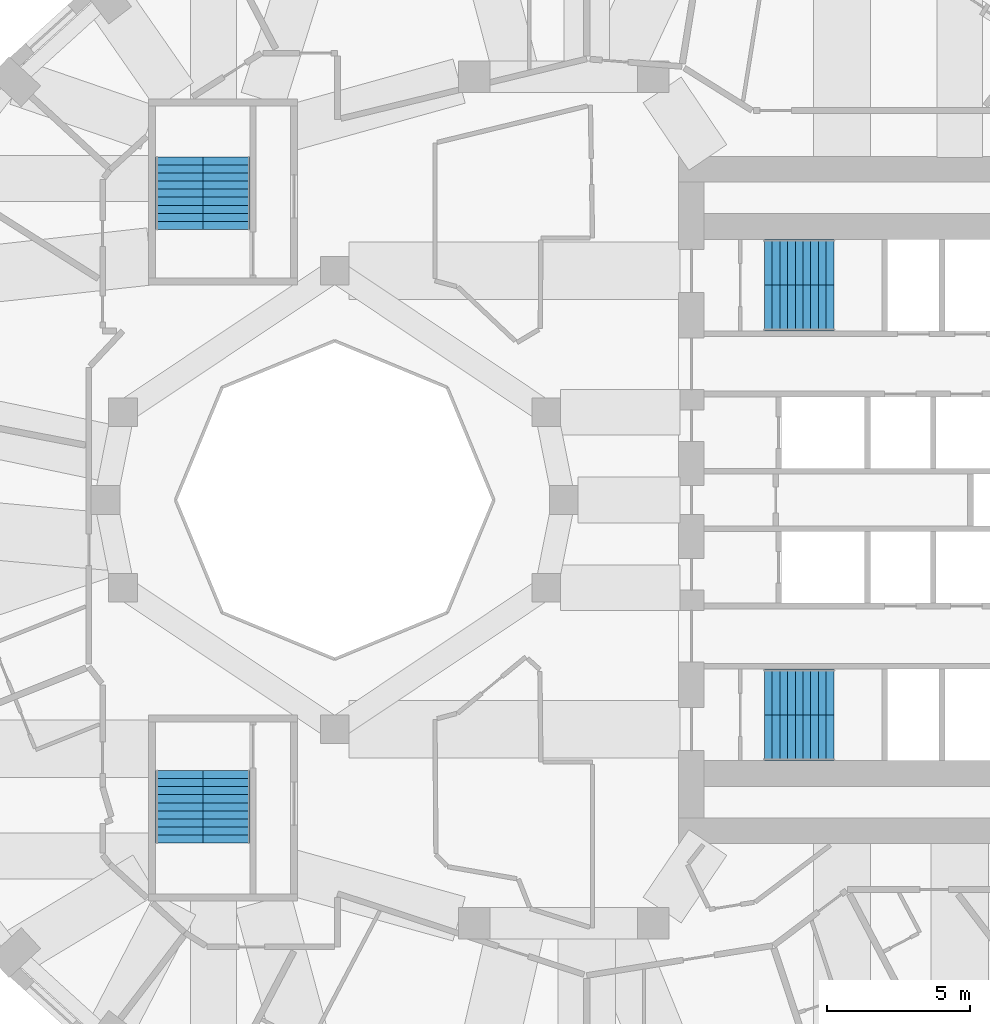
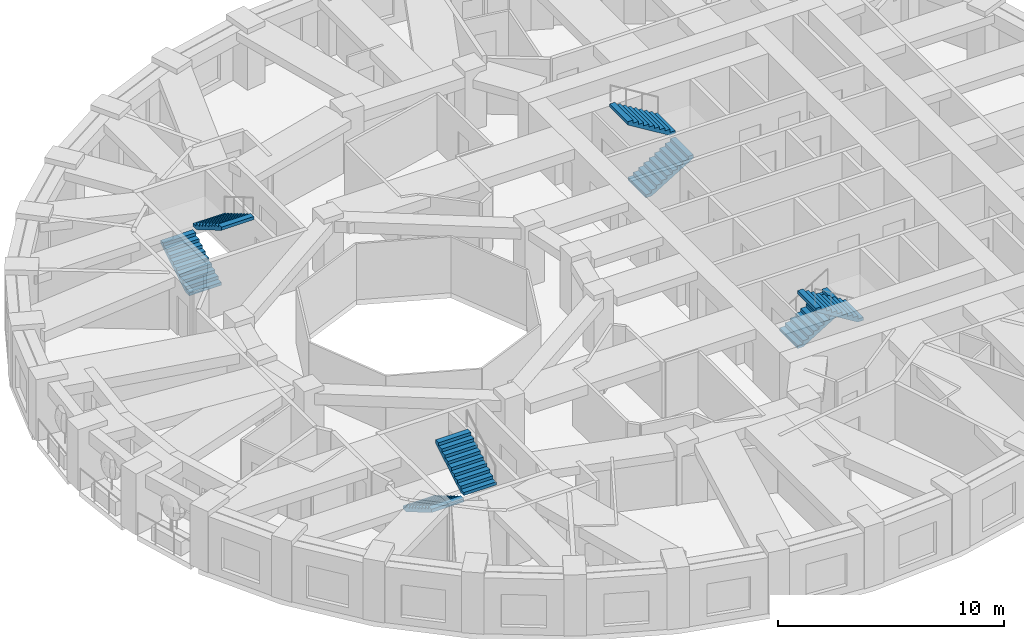
# One storey, part 9 of 12: 8 stair flights, 4 elements without a shape of their own.
"""IFC4 building model written with IfcOpenShell, lengths in metres."""

from ifc_helpers import new_model, si_unit, direction, frame, origin, place, context, subcontext, project, spatial, polyline, outline, extrude, material, type_object, element, aggregate, save


model = new_model("IFC4")

# Units and contexts
model_context = context("Model", 3, precision=1e-05, world=origin(), true_north=direction((0.0, 1.0)))
body_context = subcontext(model_context, "Body", "Model", "MODEL_VIEW")
ifc_project = project(units=[si_unit("LENGTHUNIT", "METRE"), si_unit("AREAUNIT", "SQUARE_METRE"), si_unit("VOLUMEUNIT", "CUBIC_METRE"), si_unit("PLANEANGLEUNIT", "RADIAN"), si_unit("MASSUNIT", "GRAM", prefix="KILO")], contexts=[model_context])

# Site, building, storey
site_placement = place(None, origin())
site = spatial("IfcSite", under=ifc_project, at=site_placement, CompositionType="ELEMENT")
building_placement = place(site_placement, origin())
building = spatial("IfcBuilding", under=site, at=building_placement, Name="Taillehof Tower", CompositionType="ELEMENT")
storey_placement = place(building_placement, frame((0.0, 0.0, 102.10009765625)))
storey = spatial("IfcBuildingStorey", under=building, at=storey_placement, Name="L28", CompositionType="ELEMENT", Elevation=102.10009765625)

# Stair, stair flights
ifc_material_1 = material(Name="Concrete C40/50", Category="concrete")
stair_type = type_object("IfcStairType", Name="Exit stair half-turn", PredefinedType="HALF_TURN_STAIR", material=ifc_material_1)
stair_1_placement = place(storey_placement, origin())
stair_1 = element("IfcStair", 1, at=stair_1_placement, inside=storey, type_object=stair_type, Name="Exit stair S1", PredefinedType="HALF_TURN_STAIR")
ifc_material_2 = material(Name="Concrete C40/50", Category="concrete")
stair_flight_type_1 = type_object("IfcStairFlightType", Name="Stair flight 1600 riser 165.0 going 270", PredefinedType="STRAIGHT", material=ifc_material_2)
stair_flight_1_placement = place(storey_placement, frame((7.0, 6.699951171875, 0.0), z_axis=(0.0, 0.0, 1.0), x_axis=(1.0, 0.0, 0.0)))
stair_flight_1 = element("IfcStairFlight", 2, at=stair_flight_1_placement, type_object=stair_flight_type_1, Name="S1 flight 1", NumberOfRisers=10, NumberOfTreads=9, PredefinedType="STRAIGHT", RiserHeight=0.165, TreadLength=0.27, context=body_context, shape_type="SweptSolid", body=[
    extrude(outline(polyline([(0.0, 0.0), (0.0, 0.00537109375), (0.0, 0.0107421875), (0.0, 0.015869140625), (0.0, 0.021240234375), (0.0, 0.026611328125), (0.0, 0.031982421875), (0.0, 0.037353515625), (0.0, 0.04248046875), (0.0, 0.0478515625), (0.0, 0.05322265625), (0.0, 0.05859375), (0.0, 0.06396484375), (0.0, 0.069091796875), (0.0, 0.074462890625), (0.0, 0.079833984375), (0.0, 0.085205078125), (0.0, 0.090576171875), (0.0, 0.095703125), (0.0, 0.10107421875), (0.0, 0.1064453125), (0.0, 0.11181640625), (0.0, 0.1171875), (0.0, 0.122314453125), (0.0, 0.127685546875), (0.0, 0.133056640625), (0.0, 0.138427734375), (0.0, 0.143798828125), (0.0, 0.14892578125), (0.0, 0.154296875), (0.0, 0.15966796875), (0.0, 0.1650390625), (0.27001953125, 0.1650390625), (0.27001953125, 0.330078125), (0.5400390625, 0.330078125), (0.5400390625, 0.4951171875), (0.81005859375, 0.4951171875), (0.81005859375, 0.659912109375), (1.080078125, 0.659912109375), (1.080078125, 0.824951171875), (1.35009765625, 0.824951171875), (1.35009765625, 0.989990234375), (1.6201171875, 0.989990234375), (1.6201171875, 1.155029296875), (1.889892578125, 1.155029296875), (1.889892578125, 1.320068359375), (2.159912109375, 1.320068359375), (2.159912109375, 1.485107421875), (2.429931640625, 1.485107421875), (2.429931640625, 1.479248046875), (2.429931640625, 1.4736328125), (2.429931640625, 1.468017578125), (2.429931640625, 1.46240234375), (2.429931640625, 1.45654296875), (2.429931640625, 1.450927734375), (2.429931640625, 1.4453125), (2.429931640625, 1.439697265625), (2.429931640625, 1.43408203125), (2.429931640625, 1.42822265625), (2.429931640625, 1.422607421875), (2.429931640625, 1.4169921875), (2.429931640625, 1.411376953125), (2.429931640625, 1.40576171875), (2.429931640625, 1.39990234375), (2.429931640625, 1.394287109375), (2.429931640625, 1.388671875), (2.429931640625, 1.383056640625), (2.429931640625, 1.37744140625), (2.429931640625, 1.37158203125), (2.429931640625, 1.365966796875), (2.429931640625, 1.3603515625), (2.429931640625, 1.354736328125), (2.429931640625, 1.348876953125), (2.429931640625, 1.34326171875), (2.429931640625, 1.337646484375), (2.429931640625, 1.33203125), (2.429931640625, 1.326416015625), (2.429931640625, 1.320556640625), (2.429931640625, 1.31494140625), (2.429931640625, 1.309326171875), (0.287353515625, 0.0), (0.0, 0.0)])), frame((0.0, 0.800048828125, 0.0), z_axis=(0.0, -1.0, 0.0), x_axis=(1.0, 0.0, 0.0)), (0.0, 0.0, 1.0), 1.6),
])
stair_flight_2_placement = place(storey_placement, frame((9.429931640625, 8.300048828125, 1.64990234375), z_axis=(0.0, 0.0, 1.0), x_axis=(-1.0, 0.0, 0.0)))
stair_flight_2 = element("IfcStairFlight", 3, at=stair_flight_2_placement, type_object=stair_flight_type_1, Name="S1 flight 2", NumberOfRisers=10, NumberOfTreads=9, PredefinedType="STRAIGHT", RiserHeight=0.165, TreadLength=0.27, context=body_context, shape_type="SweptSolid", body=[
    extrude(outline(polyline([(0.0, 0.0), (0.0, 0.00537109375), (0.0, 0.0107421875), (0.0, 0.015869140625), (0.0, 0.021240234375), (0.0, 0.026611328125), (0.0, 0.031982421875), (0.0, 0.037353515625), (0.0, 0.04248046875), (0.0, 0.0478515625), (0.0, 0.05322265625), (0.0, 0.05859375), (0.0, 0.06396484375), (0.0, 0.069091796875), (0.0, 0.074462890625), (0.0, 0.079833984375), (0.0, 0.085205078125), (0.0, 0.090576171875), (0.0, 0.095703125), (0.0, 0.10107421875), (0.0, 0.1064453125), (0.0, 0.11181640625), (0.0, 0.1171875), (0.0, 0.122314453125), (0.0, 0.127685546875), (0.0, 0.133056640625), (0.0, 0.138427734375), (0.0, 0.143798828125), (0.0, 0.14892578125), (0.0, 0.154296875), (0.0, 0.15966796875), (0.0, 0.1650390625), (0.27001953125, 0.1650390625), (0.27001953125, 0.330078125), (0.5400390625, 0.330078125), (0.5400390625, 0.4951171875), (0.81005859375, 0.4951171875), (0.81005859375, 0.659912109375), (1.080078125, 0.659912109375), (1.080078125, 0.824951171875), (1.35009765625, 0.824951171875), (1.35009765625, 0.989990234375), (1.6201171875, 0.989990234375), (1.6201171875, 1.155029296875), (1.889892578125, 1.155029296875), (1.889892578125, 1.320068359375), (2.159912109375, 1.320068359375), (2.159912109375, 1.485107421875), (2.429931640625, 1.485107421875), (2.429931640625, 1.479248046875), (2.429931640625, 1.4736328125), (2.429931640625, 1.468017578125), (2.429931640625, 1.46240234375), (2.429931640625, 1.45654296875), (2.429931640625, 1.450927734375), (2.429931640625, 1.4453125), (2.429931640625, 1.439697265625), (2.429931640625, 1.43408203125), (2.429931640625, 1.42822265625), (2.429931640625, 1.422607421875), (2.429931640625, 1.4169921875), (2.429931640625, 1.411376953125), (2.429931640625, 1.40576171875), (2.429931640625, 1.39990234375), (2.429931640625, 1.394287109375), (2.429931640625, 1.388671875), (2.429931640625, 1.383056640625), (2.429931640625, 1.37744140625), (2.429931640625, 1.37158203125), (2.429931640625, 1.365966796875), (2.429931640625, 1.3603515625), (2.429931640625, 1.354736328125), (2.429931640625, 1.348876953125), (2.429931640625, 1.34326171875), (2.429931640625, 1.337646484375), (2.429931640625, 1.33203125), (2.429931640625, 1.326416015625), (2.429931640625, 1.320556640625), (2.429931640625, 1.31494140625), (2.429931640625, 1.309326171875), (0.287353515625, 0.0), (0.0, 0.0)])), frame((0.0, 0.800048828125, 0.0), z_axis=(0.0, -1.0, 0.0), x_axis=(1.0, 0.0, 0.0)), (0.0, 0.0, 1.0), 1.6),
])
aggregate(stair_1, [stair_flight_1, stair_flight_2])

stair_2_placement = place(storey_placement, origin())
stair_2 = element("IfcStair", 4, at=stair_2_placement, inside=storey, type_object=stair_type, Name="Exit stair S2", PredefinedType="HALF_TURN_STAIR")
stair_flight_3_placement = place(storey_placement, frame((7.0, -6.699951171875, 0.0), z_axis=(0.0, 0.0, 1.0), x_axis=(1.0, 0.0, 0.0)))
stair_flight_3 = element("IfcStairFlight", 5, at=stair_flight_3_placement, type_object=stair_flight_type_1, Name="S2 flight 1", NumberOfRisers=10, NumberOfTreads=9, PredefinedType="STRAIGHT", RiserHeight=0.165, TreadLength=0.27, context=body_context, shape_type="SweptSolid", body=[
    extrude(outline(polyline([(0.0, 0.0), (0.0, 0.00537109375), (0.0, 0.0107421875), (0.0, 0.015869140625), (0.0, 0.021240234375), (0.0, 0.026611328125), (0.0, 0.031982421875), (0.0, 0.037353515625), (0.0, 0.04248046875), (0.0, 0.0478515625), (0.0, 0.05322265625), (0.0, 0.05859375), (0.0, 0.06396484375), (0.0, 0.069091796875), (0.0, 0.074462890625), (0.0, 0.079833984375), (0.0, 0.085205078125), (0.0, 0.090576171875), (0.0, 0.095703125), (0.0, 0.10107421875), (0.0, 0.1064453125), (0.0, 0.11181640625), (0.0, 0.1171875), (0.0, 0.122314453125), (0.0, 0.127685546875), (0.0, 0.133056640625), (0.0, 0.138427734375), (0.0, 0.143798828125), (0.0, 0.14892578125), (0.0, 0.154296875), (0.0, 0.15966796875), (0.0, 0.1650390625), (0.27001953125, 0.1650390625), (0.27001953125, 0.330078125), (0.5400390625, 0.330078125), (0.5400390625, 0.4951171875), (0.81005859375, 0.4951171875), (0.81005859375, 0.659912109375), (1.080078125, 0.659912109375), (1.080078125, 0.824951171875), (1.35009765625, 0.824951171875), (1.35009765625, 0.989990234375), (1.6201171875, 0.989990234375), (1.6201171875, 1.155029296875), (1.889892578125, 1.155029296875), (1.889892578125, 1.320068359375), (2.159912109375, 1.320068359375), (2.159912109375, 1.485107421875), (2.429931640625, 1.485107421875), (2.429931640625, 1.479248046875), (2.429931640625, 1.4736328125), (2.429931640625, 1.468017578125), (2.429931640625, 1.46240234375), (2.429931640625, 1.45654296875), (2.429931640625, 1.450927734375), (2.429931640625, 1.4453125), (2.429931640625, 1.439697265625), (2.429931640625, 1.43408203125), (2.429931640625, 1.42822265625), (2.429931640625, 1.422607421875), (2.429931640625, 1.4169921875), (2.429931640625, 1.411376953125), (2.429931640625, 1.40576171875), (2.429931640625, 1.39990234375), (2.429931640625, 1.394287109375), (2.429931640625, 1.388671875), (2.429931640625, 1.383056640625), (2.429931640625, 1.37744140625), (2.429931640625, 1.37158203125), (2.429931640625, 1.365966796875), (2.429931640625, 1.3603515625), (2.429931640625, 1.354736328125), (2.429931640625, 1.348876953125), (2.429931640625, 1.34326171875), (2.429931640625, 1.337646484375), (2.429931640625, 1.33203125), (2.429931640625, 1.326416015625), (2.429931640625, 1.320556640625), (2.429931640625, 1.31494140625), (2.429931640625, 1.309326171875), (0.287353515625, 0.0), (0.0, 0.0)])), frame((0.0, 0.800048828125, 0.0), z_axis=(0.0, -1.0, 0.0), x_axis=(1.0, 0.0, 0.0)), (0.0, 0.0, 1.0), 1.6),
])
stair_flight_4_placement = place(storey_placement, frame((9.429931640625, -8.300048828125, 1.64990234375), z_axis=(0.0, 0.0, 1.0), x_axis=(-1.0, 0.0, 0.0)))
stair_flight_4 = element("IfcStairFlight", 6, at=stair_flight_4_placement, type_object=stair_flight_type_1, Name="S2 flight 2", NumberOfRisers=10, NumberOfTreads=9, PredefinedType="STRAIGHT", RiserHeight=0.165, TreadLength=0.27, context=body_context, shape_type="SweptSolid", body=[
    extrude(outline(polyline([(0.0, 0.0), (0.0, 0.00537109375), (0.0, 0.0107421875), (0.0, 0.015869140625), (0.0, 0.021240234375), (0.0, 0.026611328125), (0.0, 0.031982421875), (0.0, 0.037353515625), (0.0, 0.04248046875), (0.0, 0.0478515625), (0.0, 0.05322265625), (0.0, 0.05859375), (0.0, 0.06396484375), (0.0, 0.069091796875), (0.0, 0.074462890625), (0.0, 0.079833984375), (0.0, 0.085205078125), (0.0, 0.090576171875), (0.0, 0.095703125), (0.0, 0.10107421875), (0.0, 0.1064453125), (0.0, 0.11181640625), (0.0, 0.1171875), (0.0, 0.122314453125), (0.0, 0.127685546875), (0.0, 0.133056640625), (0.0, 0.138427734375), (0.0, 0.143798828125), (0.0, 0.14892578125), (0.0, 0.154296875), (0.0, 0.15966796875), (0.0, 0.1650390625), (0.27001953125, 0.1650390625), (0.27001953125, 0.330078125), (0.5400390625, 0.330078125), (0.5400390625, 0.4951171875), (0.81005859375, 0.4951171875), (0.81005859375, 0.659912109375), (1.080078125, 0.659912109375), (1.080078125, 0.824951171875), (1.35009765625, 0.824951171875), (1.35009765625, 0.989990234375), (1.6201171875, 0.989990234375), (1.6201171875, 1.155029296875), (1.889892578125, 1.155029296875), (1.889892578125, 1.320068359375), (2.159912109375, 1.320068359375), (2.159912109375, 1.485107421875), (2.429931640625, 1.485107421875), (2.429931640625, 1.479248046875), (2.429931640625, 1.4736328125), (2.429931640625, 1.468017578125), (2.429931640625, 1.46240234375), (2.429931640625, 1.45654296875), (2.429931640625, 1.450927734375), (2.429931640625, 1.4453125), (2.429931640625, 1.439697265625), (2.429931640625, 1.43408203125), (2.429931640625, 1.42822265625), (2.429931640625, 1.422607421875), (2.429931640625, 1.4169921875), (2.429931640625, 1.411376953125), (2.429931640625, 1.40576171875), (2.429931640625, 1.39990234375), (2.429931640625, 1.394287109375), (2.429931640625, 1.388671875), (2.429931640625, 1.383056640625), (2.429931640625, 1.37744140625), (2.429931640625, 1.37158203125), (2.429931640625, 1.365966796875), (2.429931640625, 1.3603515625), (2.429931640625, 1.354736328125), (2.429931640625, 1.348876953125), (2.429931640625, 1.34326171875), (2.429931640625, 1.337646484375), (2.429931640625, 1.33203125), (2.429931640625, 1.326416015625), (2.429931640625, 1.320556640625), (2.429931640625, 1.31494140625), (2.429931640625, 1.309326171875), (0.287353515625, 0.0), (0.0, 0.0)])), frame((0.0, 0.800048828125, 0.0), z_axis=(0.0, -1.0, 0.0), x_axis=(1.0, 0.0, 0.0)), (0.0, 0.0, 1.0), 1.6),
])
aggregate(stair_2, [stair_flight_3, stair_flight_4])

stair_3_placement = place(storey_placement, origin())
stair_3 = element("IfcStair", 7, at=stair_3_placement, inside=storey, type_object=stair_type, Name="Exit stair S3", PredefinedType="HALF_TURN_STAIR")
ifc_material_3 = material(Name="Concrete C40/50", Category="concrete")
stair_flight_type_2 = type_object("IfcStairFlightType", Name="Stair flight 1650 riser 165.0 going 280", PredefinedType="STRAIGHT", material=ifc_material_3)
stair_flight_5_placement = place(storey_placement, frame((-13.425048828125, 9.449951171875, 0.0), z_axis=(0.0, 0.0, 1.0), x_axis=(0.0, 1.0, 0.0)))
stair_flight_5 = element("IfcStairFlight", 8, at=stair_flight_5_placement, type_object=stair_flight_type_2, Name="S3 flight 1", NumberOfRisers=10, NumberOfTreads=9, PredefinedType="STRAIGHT", RiserHeight=0.165, TreadLength=0.28, context=body_context, shape_type="SweptSolid", body=[
    extrude(outline(polyline([(0.0, 0.0), (0.0, 0.00537109375), (0.0, 0.0107421875), (0.0, 0.015869140625), (0.0, 0.021240234375), (0.0, 0.026611328125), (0.0, 0.031982421875), (0.0, 0.037353515625), (0.0, 0.04248046875), (0.0, 0.0478515625), (0.0, 0.05322265625), (0.0, 0.05859375), (0.0, 0.06396484375), (0.0, 0.069091796875), (0.0, 0.074462890625), (0.0, 0.079833984375), (0.0, 0.085205078125), (0.0, 0.090576171875), (0.0, 0.095703125), (0.0, 0.10107421875), (0.0, 0.1064453125), (0.0, 0.11181640625), (0.0, 0.1171875), (0.0, 0.122314453125), (0.0, 0.127685546875), (0.0, 0.133056640625), (0.0, 0.138427734375), (0.0, 0.143798828125), (0.0, 0.14892578125), (0.0, 0.154296875), (0.0, 0.15966796875), (0.0, 0.1650390625), (0.280029296875, 0.1650390625), (0.280029296875, 0.330078125), (0.56005859375, 0.330078125), (0.56005859375, 0.4951171875), (0.840087890625, 0.4951171875), (0.840087890625, 0.659912109375), (1.1201171875, 0.659912109375), (1.1201171875, 0.824951171875), (1.39990234375, 0.824951171875), (1.39990234375, 0.989990234375), (1.679931640625, 0.989990234375), (1.679931640625, 1.155029296875), (1.9599609375, 1.155029296875), (1.9599609375, 1.320068359375), (2.239990234375, 1.320068359375), (2.239990234375, 1.485107421875), (2.52001953125, 1.485107421875), (2.52001953125, 1.4794921875), (2.52001953125, 1.473876953125), (2.52001953125, 1.46826171875), (2.52001953125, 1.462646484375), (2.52001953125, 1.45703125), (2.52001953125, 1.451416015625), (2.52001953125, 1.44580078125), (2.52001953125, 1.440185546875), (2.52001953125, 1.4345703125), (2.52001953125, 1.428955078125), (2.52001953125, 1.42333984375), (2.52001953125, 1.417724609375), (2.52001953125, 1.412109375), (2.52001953125, 1.406494140625), (2.52001953125, 1.40087890625), (2.52001953125, 1.395263671875), (2.52001953125, 1.3896484375), (2.52001953125, 1.384033203125), (2.52001953125, 1.37841796875), (2.52001953125, 1.372802734375), (2.52001953125, 1.3671875), (2.52001953125, 1.361572265625), (2.52001953125, 1.35595703125), (2.52001953125, 1.350341796875), (2.52001953125, 1.3447265625), (2.52001953125, 1.339111328125), (2.52001953125, 1.33349609375), (2.52001953125, 1.327880859375), (2.52001953125, 1.322265625), (2.52001953125, 1.316650390625), (2.52001953125, 1.31103515625), (0.295166015625, 0.0), (0.0, 0.0)])), frame((0.0, 0.824951171875, 0.0), z_axis=(0.0, -1.0, 0.0), x_axis=(1.0, 0.0, 0.0)), (0.0, 0.0, 1.0), 1.65),
])
stair_flight_6_placement = place(storey_placement, frame((-11.77490234375, 11.969970703125, 1.64990234375), z_axis=(0.0, 0.0, 1.0), x_axis=(0.0, -1.0, 0.0)))
stair_flight_6 = element("IfcStairFlight", 9, at=stair_flight_6_placement, type_object=stair_flight_type_2, Name="S3 flight 2", NumberOfRisers=10, NumberOfTreads=9, PredefinedType="STRAIGHT", RiserHeight=0.165, TreadLength=0.28, context=body_context, shape_type="SweptSolid", body=[
    extrude(outline(polyline([(0.0, 0.0), (0.0, 0.00537109375), (0.0, 0.0107421875), (0.0, 0.015869140625), (0.0, 0.021240234375), (0.0, 0.026611328125), (0.0, 0.031982421875), (0.0, 0.037353515625), (0.0, 0.04248046875), (0.0, 0.0478515625), (0.0, 0.05322265625), (0.0, 0.05859375), (0.0, 0.06396484375), (0.0, 0.069091796875), (0.0, 0.074462890625), (0.0, 0.079833984375), (0.0, 0.085205078125), (0.0, 0.090576171875), (0.0, 0.095703125), (0.0, 0.10107421875), (0.0, 0.1064453125), (0.0, 0.11181640625), (0.0, 0.1171875), (0.0, 0.122314453125), (0.0, 0.127685546875), (0.0, 0.133056640625), (0.0, 0.138427734375), (0.0, 0.143798828125), (0.0, 0.14892578125), (0.0, 0.154296875), (0.0, 0.15966796875), (0.0, 0.1650390625), (0.280029296875, 0.1650390625), (0.280029296875, 0.330078125), (0.56005859375, 0.330078125), (0.56005859375, 0.4951171875), (0.840087890625, 0.4951171875), (0.840087890625, 0.659912109375), (1.1201171875, 0.659912109375), (1.1201171875, 0.824951171875), (1.39990234375, 0.824951171875), (1.39990234375, 0.989990234375), (1.679931640625, 0.989990234375), (1.679931640625, 1.155029296875), (1.9599609375, 1.155029296875), (1.9599609375, 1.320068359375), (2.239990234375, 1.320068359375), (2.239990234375, 1.485107421875), (2.52001953125, 1.485107421875), (2.52001953125, 1.4794921875), (2.52001953125, 1.473876953125), (2.52001953125, 1.46826171875), (2.52001953125, 1.462646484375), (2.52001953125, 1.45703125), (2.52001953125, 1.451416015625), (2.52001953125, 1.44580078125), (2.52001953125, 1.440185546875), (2.52001953125, 1.4345703125), (2.52001953125, 1.428955078125), (2.52001953125, 1.42333984375), (2.52001953125, 1.417724609375), (2.52001953125, 1.412109375), (2.52001953125, 1.406494140625), (2.52001953125, 1.40087890625), (2.52001953125, 1.395263671875), (2.52001953125, 1.3896484375), (2.52001953125, 1.384033203125), (2.52001953125, 1.37841796875), (2.52001953125, 1.372802734375), (2.52001953125, 1.3671875), (2.52001953125, 1.361572265625), (2.52001953125, 1.35595703125), (2.52001953125, 1.350341796875), (2.52001953125, 1.3447265625), (2.52001953125, 1.339111328125), (2.52001953125, 1.33349609375), (2.52001953125, 1.327880859375), (2.52001953125, 1.322265625), (2.52001953125, 1.316650390625), (2.52001953125, 1.31103515625), (0.295166015625, 0.0), (0.0, 0.0)])), frame((0.0, 0.824951171875, 0.0), z_axis=(0.0, -1.0, 0.0), x_axis=(1.0, 0.0, 0.0)), (0.0, 0.0, 1.0), 1.65),
])
aggregate(stair_3, [stair_flight_5, stair_flight_6])

stair_4_placement = place(storey_placement, origin())
stair_4 = element("IfcStair", 10, at=stair_4_placement, inside=storey, type_object=stair_type, Name="Exit stair S4", PredefinedType="HALF_TURN_STAIR")
stair_flight_7_placement = place(storey_placement, frame((-13.425048828125, -9.449951171875, 0.0), z_axis=(0.0, 0.0, 1.0), x_axis=(0.0, -1.0, 0.0)))
stair_flight_7 = element("IfcStairFlight", 11, at=stair_flight_7_placement, type_object=stair_flight_type_2, Name="S4 flight 1", NumberOfRisers=10, NumberOfTreads=9, PredefinedType="STRAIGHT", RiserHeight=0.165, TreadLength=0.28, context=body_context, shape_type="SweptSolid", body=[
    extrude(outline(polyline([(0.0, 0.0), (0.0, 0.00537109375), (0.0, 0.0107421875), (0.0, 0.015869140625), (0.0, 0.021240234375), (0.0, 0.026611328125), (0.0, 0.031982421875), (0.0, 0.037353515625), (0.0, 0.04248046875), (0.0, 0.0478515625), (0.0, 0.05322265625), (0.0, 0.05859375), (0.0, 0.06396484375), (0.0, 0.069091796875), (0.0, 0.074462890625), (0.0, 0.079833984375), (0.0, 0.085205078125), (0.0, 0.090576171875), (0.0, 0.095703125), (0.0, 0.10107421875), (0.0, 0.1064453125), (0.0, 0.11181640625), (0.0, 0.1171875), (0.0, 0.122314453125), (0.0, 0.127685546875), (0.0, 0.133056640625), (0.0, 0.138427734375), (0.0, 0.143798828125), (0.0, 0.14892578125), (0.0, 0.154296875), (0.0, 0.15966796875), (0.0, 0.1650390625), (0.280029296875, 0.1650390625), (0.280029296875, 0.330078125), (0.56005859375, 0.330078125), (0.56005859375, 0.4951171875), (0.840087890625, 0.4951171875), (0.840087890625, 0.659912109375), (1.1201171875, 0.659912109375), (1.1201171875, 0.824951171875), (1.39990234375, 0.824951171875), (1.39990234375, 0.989990234375), (1.679931640625, 0.989990234375), (1.679931640625, 1.155029296875), (1.9599609375, 1.155029296875), (1.9599609375, 1.320068359375), (2.239990234375, 1.320068359375), (2.239990234375, 1.485107421875), (2.52001953125, 1.485107421875), (2.52001953125, 1.4794921875), (2.52001953125, 1.473876953125), (2.52001953125, 1.46826171875), (2.52001953125, 1.462646484375), (2.52001953125, 1.45703125), (2.52001953125, 1.451416015625), (2.52001953125, 1.44580078125), (2.52001953125, 1.440185546875), (2.52001953125, 1.4345703125), (2.52001953125, 1.428955078125), (2.52001953125, 1.42333984375), (2.52001953125, 1.417724609375), (2.52001953125, 1.412109375), (2.52001953125, 1.406494140625), (2.52001953125, 1.40087890625), (2.52001953125, 1.395263671875), (2.52001953125, 1.3896484375), (2.52001953125, 1.384033203125), (2.52001953125, 1.37841796875), (2.52001953125, 1.372802734375), (2.52001953125, 1.3671875), (2.52001953125, 1.361572265625), (2.52001953125, 1.35595703125), (2.52001953125, 1.350341796875), (2.52001953125, 1.3447265625), (2.52001953125, 1.339111328125), (2.52001953125, 1.33349609375), (2.52001953125, 1.327880859375), (2.52001953125, 1.322265625), (2.52001953125, 1.316650390625), (2.52001953125, 1.31103515625), (0.295166015625, 0.0), (0.0, 0.0)])), frame((0.0, 0.824951171875, 0.0), z_axis=(0.0, -1.0, 0.0), x_axis=(1.0, 0.0, 0.0)), (0.0, 0.0, 1.0), 1.65),
])
stair_flight_8_placement = place(storey_placement, frame((-11.77490234375, -11.969970703125, 1.64990234375), z_axis=(0.0, 0.0, 1.0), x_axis=(0.0, 1.0, 0.0)))
stair_flight_8 = element("IfcStairFlight", 12, at=stair_flight_8_placement, type_object=stair_flight_type_2, Name="S4 flight 2", NumberOfRisers=10, NumberOfTreads=9, PredefinedType="STRAIGHT", RiserHeight=0.165, TreadLength=0.28, context=body_context, shape_type="SweptSolid", body=[
    extrude(outline(polyline([(0.0, 0.0), (0.0, 0.00537109375), (0.0, 0.0107421875), (0.0, 0.015869140625), (0.0, 0.021240234375), (0.0, 0.026611328125), (0.0, 0.031982421875), (0.0, 0.037353515625), (0.0, 0.04248046875), (0.0, 0.0478515625), (0.0, 0.05322265625), (0.0, 0.05859375), (0.0, 0.06396484375), (0.0, 0.069091796875), (0.0, 0.074462890625), (0.0, 0.079833984375), (0.0, 0.085205078125), (0.0, 0.090576171875), (0.0, 0.095703125), (0.0, 0.10107421875), (0.0, 0.1064453125), (0.0, 0.11181640625), (0.0, 0.1171875), (0.0, 0.122314453125), (0.0, 0.127685546875), (0.0, 0.133056640625), (0.0, 0.138427734375), (0.0, 0.143798828125), (0.0, 0.14892578125), (0.0, 0.154296875), (0.0, 0.15966796875), (0.0, 0.1650390625), (0.280029296875, 0.1650390625), (0.280029296875, 0.330078125), (0.56005859375, 0.330078125), (0.56005859375, 0.4951171875), (0.840087890625, 0.4951171875), (0.840087890625, 0.659912109375), (1.1201171875, 0.659912109375), (1.1201171875, 0.824951171875), (1.39990234375, 0.824951171875), (1.39990234375, 0.989990234375), (1.679931640625, 0.989990234375), (1.679931640625, 1.155029296875), (1.9599609375, 1.155029296875), (1.9599609375, 1.320068359375), (2.239990234375, 1.320068359375), (2.239990234375, 1.485107421875), (2.52001953125, 1.485107421875), (2.52001953125, 1.4794921875), (2.52001953125, 1.473876953125), (2.52001953125, 1.46826171875), (2.52001953125, 1.462646484375), (2.52001953125, 1.45703125), (2.52001953125, 1.451416015625), (2.52001953125, 1.44580078125), (2.52001953125, 1.440185546875), (2.52001953125, 1.4345703125), (2.52001953125, 1.428955078125), (2.52001953125, 1.42333984375), (2.52001953125, 1.417724609375), (2.52001953125, 1.412109375), (2.52001953125, 1.406494140625), (2.52001953125, 1.40087890625), (2.52001953125, 1.395263671875), (2.52001953125, 1.3896484375), (2.52001953125, 1.384033203125), (2.52001953125, 1.37841796875), (2.52001953125, 1.372802734375), (2.52001953125, 1.3671875), (2.52001953125, 1.361572265625), (2.52001953125, 1.35595703125), (2.52001953125, 1.350341796875), (2.52001953125, 1.3447265625), (2.52001953125, 1.339111328125), (2.52001953125, 1.33349609375), (2.52001953125, 1.327880859375), (2.52001953125, 1.322265625), (2.52001953125, 1.316650390625), (2.52001953125, 1.31103515625), (0.295166015625, 0.0), (0.0, 0.0)])), frame((0.0, 0.824951171875, 0.0), z_axis=(0.0, -1.0, 0.0), x_axis=(1.0, 0.0, 0.0)), (0.0, 0.0, 1.0), 1.65),
])
aggregate(stair_4, [stair_flight_7, stair_flight_8])

save(model, "model.ifc")
